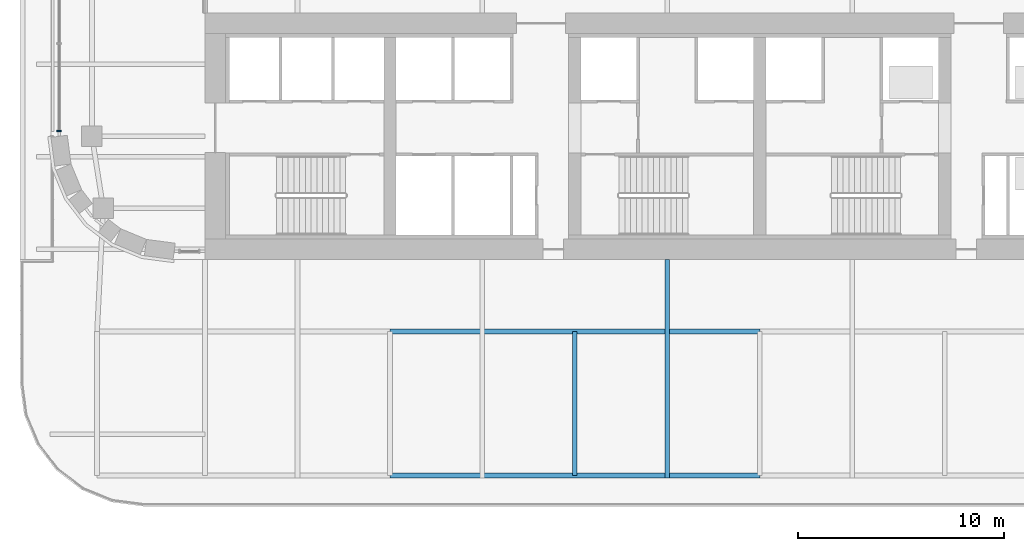
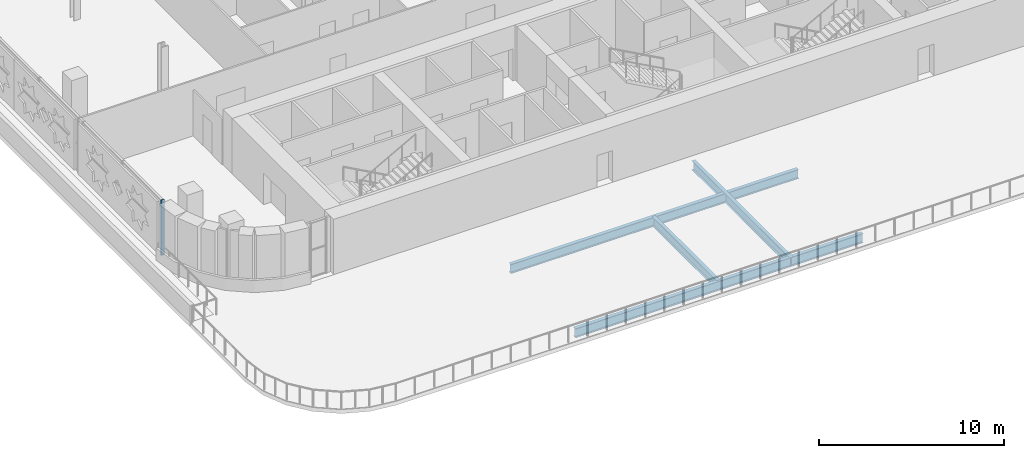
# One storey, part 3 of 26: 4 beams, 1 member, 1 element without a shape of its own.
"""IFC4 building model written with IfcOpenShell, lengths in metres."""

from ifc_helpers import new_model, si_unit, direction, frame, origin, origin_2d, place, context, subcontext, project, spatial, rectangle, i_section, extrude, material, material_profile, profile_set, type_object, element, aggregate, save


model = new_model("IFC4")

# Units and contexts
model_context = context("Model", 3, precision=1e-05, world=origin(), true_north=direction((0.0, 1.0)))
body_context = subcontext(model_context, "Body", "Model", "MODEL_VIEW")
ifc_project = project(units=[si_unit("LENGTHUNIT", "METRE"), si_unit("AREAUNIT", "SQUARE_METRE"), si_unit("VOLUMEUNIT", "CUBIC_METRE"), si_unit("PLANEANGLEUNIT", "RADIAN"), si_unit("MASSUNIT", "GRAM", prefix="KILO")], contexts=[model_context])

# Site, building, storey
site_placement = place(None, origin())
site = spatial("IfcSite", under=ifc_project, at=site_placement, CompositionType="ELEMENT")
building_placement = place(site_placement, origin())
building = spatial("IfcBuilding", under=site, at=building_placement, Name="Zellij Exchange Tower", CompositionType="ELEMENT")
storey_placement = place(building_placement, frame((0.0, 0.0, 156.5)))
storey = spatial("IfcBuildingStorey", under=building, at=storey_placement, Name="L35", CompositionType="ELEMENT", Elevation=156.5)

# Curtain wall, member
ifc_material_1 = material(Name="Aluminium frame, clear insulating glass", Category="aluminium")
curtain_wall_type = type_object("IfcCurtainWallType", Name="ENV-CW6 Sky-lobby glazing", PredefinedType="NOTDEFINED", material=ifc_material_1)
curtain_wall_placement = place(storey_placement, origin())
curtain_wall = element("IfcCurtainWall", 1, at=curtain_wall_placement, inside=storey, type_object=curtain_wall_type, Name="cw.L35.21b", PredefinedType="NOTDEFINED")
ifc_material_2 = material(Name="Aluminium", Category="aluminium")
ifc_material_profile_1 = material_profile(ifc_material_2, rectangle(XDim=0.06005859375, YDim=0.199951171875, at=origin_2d()), Name="AL 60x200")
ifc_profile_set_1 = profile_set([ifc_material_profile_1], Name="Aluminium")
member_type = type_object("IfcMemberType", Name="ENV-CW6M Mullion 60x200", PredefinedType="MULLION", material=ifc_profile_set_1)
member_placement = place(storey_placement, frame((-34.10009765625, -7.743896484375, 0.0), z_axis=(0.0, 0.0, 1.0), x_axis=(0.0, -1.0, 0.0)))
member = element("IfcMember", 2, at=member_placement, type_object=member_type, Name="CW6 mullion 3", PredefinedType="MULLION", context=body_context, shape_type="SweptSolid", body=[
    extrude(rectangle(XDim=0.06005859375, YDim=0.199951171875, at=origin_2d()), origin(), (0.0, 0.0, 1.0), 3.64990234375),
])
aggregate(curtain_wall, [member])

# Beams
ifc_material_3 = material(Name="Structural steel ASTM A992 Gr 50", Category="steel")
ifc_material_profile_2 = material_profile(ifc_material_3, i_section(OverallWidth=0.227783203125, OverallDepth=0.60205078125, WebThickness=0.010498046875, FlangeThickness=0.014892578125, at=origin_2d()), Name="W24x68")
ifc_profile_set_2 = profile_set([ifc_material_profile_2], Name="Structural steel ASTM A992 Gr 50")
beam_type_1 = type_object("IfcBeamType", Name="STR-BEAM W24x68", PredefinedType="BEAM", material=ifc_profile_set_2)
beam_1_placement = place(storey_placement, frame((-4.5, -24.614501953125, -0.60107421875), z_axis=(0.0, 1.0, 0.0), x_axis=(-1.0, 0.0, 0.0)))
element("IfcBeam", 3, at=beam_1_placement, inside=storey, type_object=beam_type_1, Name="B5", PredefinedType="BEAM", context=body_context, shape_type="SweptSolid", body=[
    extrude(i_section(OverallWidth=0.227783203125, OverallDepth=0.60205078125, WebThickness=0.010498046875, FlangeThickness=0.014892578125, at=origin_2d()), origin(), (0.0, 0.0, 1.0), 10.614501953125),
])
ifc_material_profile_3 = material_profile(ifc_material_3, i_section(OverallWidth=0.22900390625, OverallDepth=0.612060546875, WebThickness=0.011962890625, FlangeThickness=0.01953125, at=origin_2d()), Name="W24x84")
ifc_profile_set_3 = profile_set([ifc_material_profile_3], Name="Structural steel ASTM A992 Gr 50")
beam_type_2 = type_object("IfcBeamType", Name="STR-GIRDER W24x84", PredefinedType="BEAM", material=ifc_profile_set_3)
for number, where, z_axis, x_axis, name in (
    (4, (-18.0, -24.5, -0.606201171875), (1.0, 0.0, 0.0), (0.0, 1.0, 0.0), "G4"),
    (5, (-18.0, -17.5, -0.606201171875), (1.0, 0.0, 0.0), (0.0, 1.0, 0.0), "G4"),
):
    element("IfcBeam", number, at=place(storey_placement, frame(where, z_axis=z_axis, x_axis=x_axis)), inside=storey, type_object=beam_type_2, Name=name, PredefinedType="BEAM", context=body_context, shape_type="SweptSolid", body=[
        extrude(i_section(OverallWidth=0.22900390625, OverallDepth=0.612060546875, WebThickness=0.011962890625, FlangeThickness=0.01953125, at=origin_2d()), origin(), (0.0, 0.0, 1.0), 18.0),
    ])
beam_2_placement = place(storey_placement, frame((-9.0, -24.5, -0.606201171875), z_axis=(0.0, 1.0, 0.0), x_axis=(-1.0, 0.0, 0.0)))
element("IfcBeam", 6, at=beam_2_placement, inside=storey, type_object=beam_type_2, Name="G4", PredefinedType="BEAM", context=body_context, shape_type="SweptSolid", body=[
    extrude(i_section(OverallWidth=0.22900390625, OverallDepth=0.612060546875, WebThickness=0.011962890625, FlangeThickness=0.01953125, at=origin_2d()), origin(), (0.0, 0.0, 1.0), 7.0),
])

save(model, "model.ifc")
